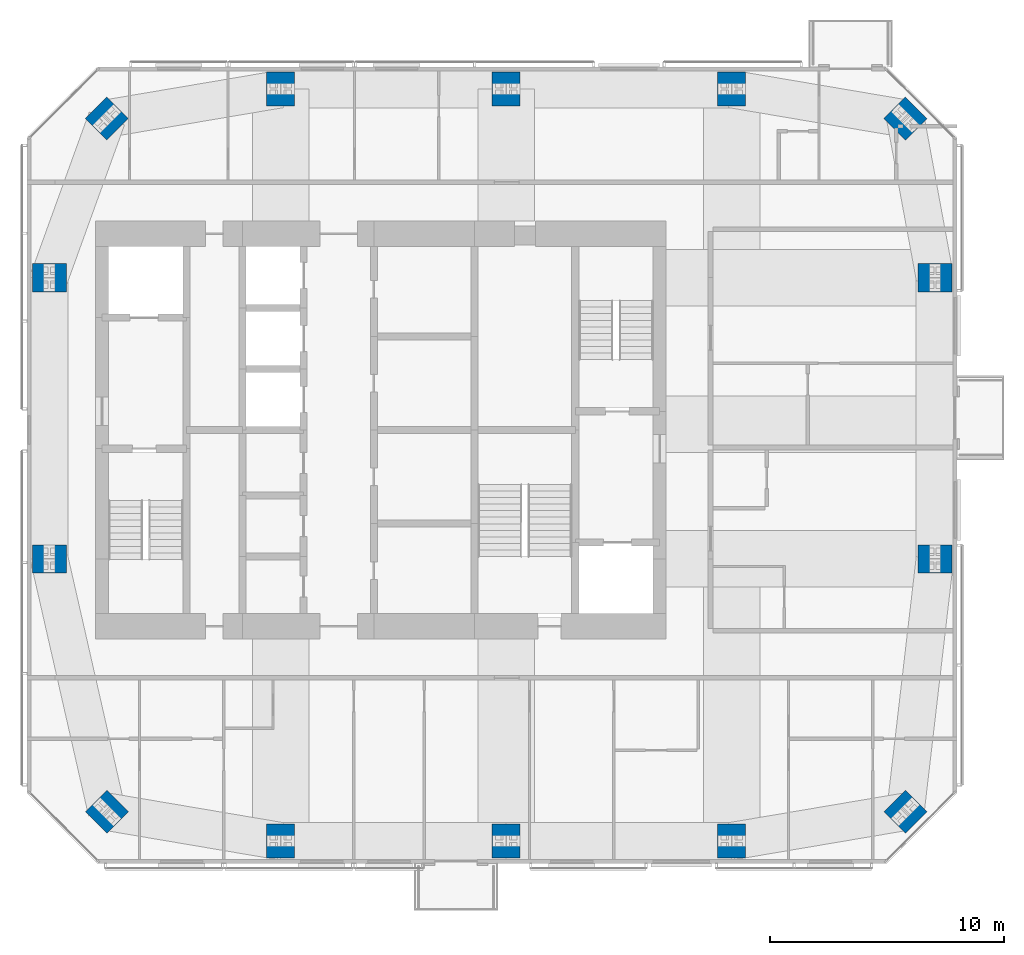
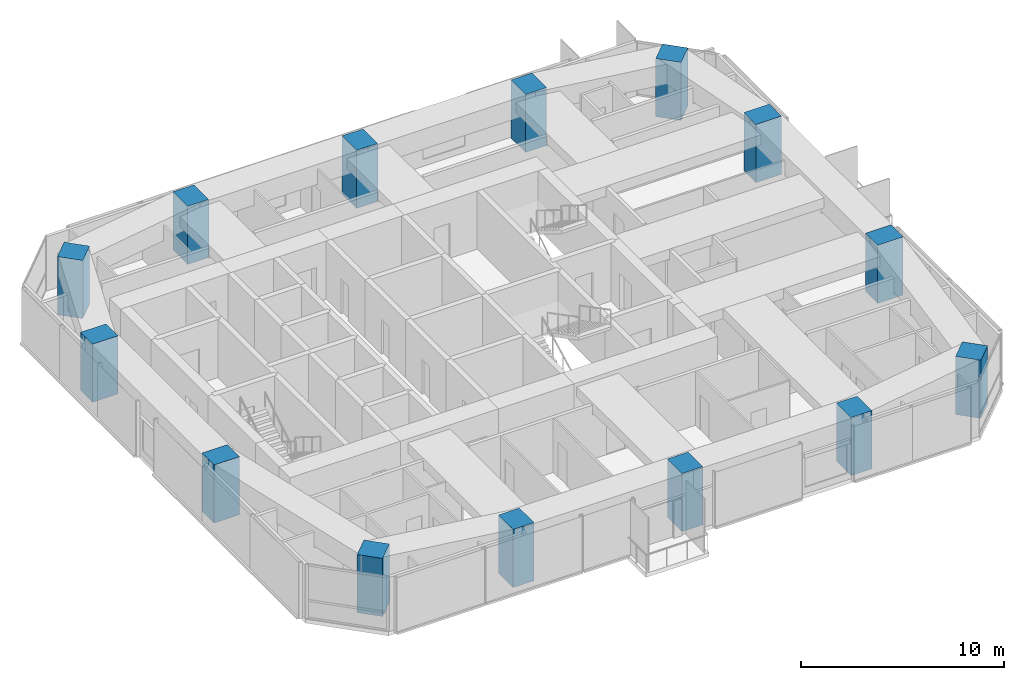
# One storey, part 1 of 18: 14 columns.
"""IFC4 building model written with IfcOpenShell, lengths in metres."""

from ifc_helpers import new_model, si_unit, direction, frame, origin, origin_2d, place, context, subcontext, project, spatial, rectangle, extrude, material, material_profile, profile_set, type_object, element, save


model = new_model("IFC4")

# Units and contexts
model_context = context("Model", 3, precision=1e-05, world=origin(), true_north=direction((0.0, 1.0)))
body_context = subcontext(model_context, "Body", "Model", "MODEL_VIEW")
ifc_project = project(units=[si_unit("LENGTHUNIT", "METRE"), si_unit("AREAUNIT", "SQUARE_METRE"), si_unit("VOLUMEUNIT", "CUBIC_METRE"), si_unit("PLANEANGLEUNIT", "RADIAN"), si_unit("MASSUNIT", "GRAM", prefix="KILO")], contexts=[model_context])

# Site, building, storey
site_placement = place(None, origin())
site = spatial("IfcSite", under=ifc_project, at=site_placement, CompositionType="ELEMENT")
building_placement = place(site_placement, origin())
building = spatial("IfcBuilding", under=site, at=building_placement, Name="Jalousie Tower", CompositionType="ELEMENT")
storey_placement = place(building_placement, frame((0.0, 0.0, 256.449951171875)))
storey = spatial("IfcBuildingStorey", under=building, at=storey_placement, Name="L70", CompositionType="ELEMENT", Elevation=256.449951171875)

# Columns
ifc_material_1 = material(Name="Concrete f'c 120 MPa", Category="concrete")
ifc_material_profile_1 = material_profile(ifc_material_1, rectangle(XDim=1.300048828125, YDim=1.300048828125, at=origin_2d()), Name="RC 1300x1300")
ifc_profile_set_1 = profile_set([ifc_material_profile_1], Name="Concrete f'c 120 MPa")
column_type_1 = type_object("IfcColumnType", Name="RC COLUMN 1300x1300", PredefinedType="COLUMN", material=ifc_profile_set_1)
for number, where, z_axis, x_axis, name in (
    (1, (20.20703125, 2.20703125, 0.0), (0.0, 0.0, 1.0), (0.707106781187, 0.707106781187, 0.0), "Column 01 L70"),
    (2, (54.29296875, 2.20703125, 0.0), (0.0, 0.0, 1.0), (0.707106781187, 0.707106781187, 0.0), "Column 05 L70"),
    (3, (54.29296875, 31.79296875, 0.0), (0.0, 0.0, 1.0), (0.707106781187, 0.707106781187, 0.0), "Column 08 L70"),
    (4, (20.20703125, 31.79296875, 0.0), (0.0, 0.0, 1.0), (0.707106781187, 0.707106781187, 0.0), "Column 12 L70"),
):
    element("IfcColumn", number, at=place(storey_placement, frame(where, z_axis=z_axis, x_axis=x_axis)), inside=storey, type_object=column_type_1, Name=name, PredefinedType="COLUMN", context=body_context, shape_type="SweptSolid", body=[
        extrude(rectangle(XDim=1.300048828125, YDim=1.300048828125, at=origin_2d()), origin(), (0.0, 0.0, 1.0), 3.5),
    ])
ifc_material_2 = material(Name="Concrete f'c 120 MPa", Category="concrete")
ifc_material_profile_2 = material_profile(ifc_material_2, rectangle(XDim=1.449951171875, YDim=1.199951171875, at=origin_2d()), Name="RC 1450x1200")
ifc_profile_set_2 = profile_set([ifc_material_profile_2], Name="Concrete f'c 120 MPa")
column_type_2 = type_object("IfcColumnType", Name="RC COLUMN 1450x1200", PredefinedType="COLUMN", material=ifc_profile_set_2)
for number, where, z_axis, x_axis, name in (
    (5, (27.625, 0.949951171875, 0.0), (0.0, 0.0, 1.0), (0.0, 1.0, 0.0), "Column 02 L70"),
    (6, (37.25, 0.949951171875, 0.0), (0.0, 0.0, 1.0), (0.0, 1.0, 0.0), "Column 03 L70"),
    (7, (46.875, 0.949951171875, 0.0), (0.0, 0.0, 1.0), (0.0, 1.0, 0.0), "Column 04 L70"),
    (8, (55.550048828125, 13.0, 0.0), (0.0, 0.0, 1.0), (1.0, 0.0, 0.0), "Column 06 L70"),
    (9, (55.550048828125, 25.0, 0.0), (0.0, 0.0, 1.0), (1.0, 0.0, 0.0), "Column 07 L70"),
    (10, (46.875, 33.050048828125, 0.0), (0.0, 0.0, 1.0), (0.0, 1.0, 0.0), "Column 09 L70"),
    (11, (37.25, 33.050048828125, 0.0), (0.0, 0.0, 1.0), (0.0, 1.0, 0.0), "Column 10 L70"),
    (12, (27.625, 33.050048828125, 0.0), (0.0, 0.0, 1.0), (0.0, 1.0, 0.0), "Column 11 L70"),
    (13, (17.75, 25.0, 0.0), (0.0, 0.0, 1.0), (1.0, 0.0, 0.0), "Column 13 L70"),
    (14, (17.75, 13.0, 0.0), (0.0, 0.0, 1.0), (1.0, 0.0, 0.0), "Column 14 L70"),
):
    element("IfcColumn", number, at=place(storey_placement, frame(where, z_axis=z_axis, x_axis=x_axis)), inside=storey, type_object=column_type_2, Name=name, PredefinedType="COLUMN", context=body_context, shape_type="SweptSolid", body=[
        extrude(rectangle(XDim=1.449951171875, YDim=1.199951171875, at=origin_2d()), origin(), (0.0, 0.0, 1.0), 3.5),
    ])

save(model, "model.ifc")
